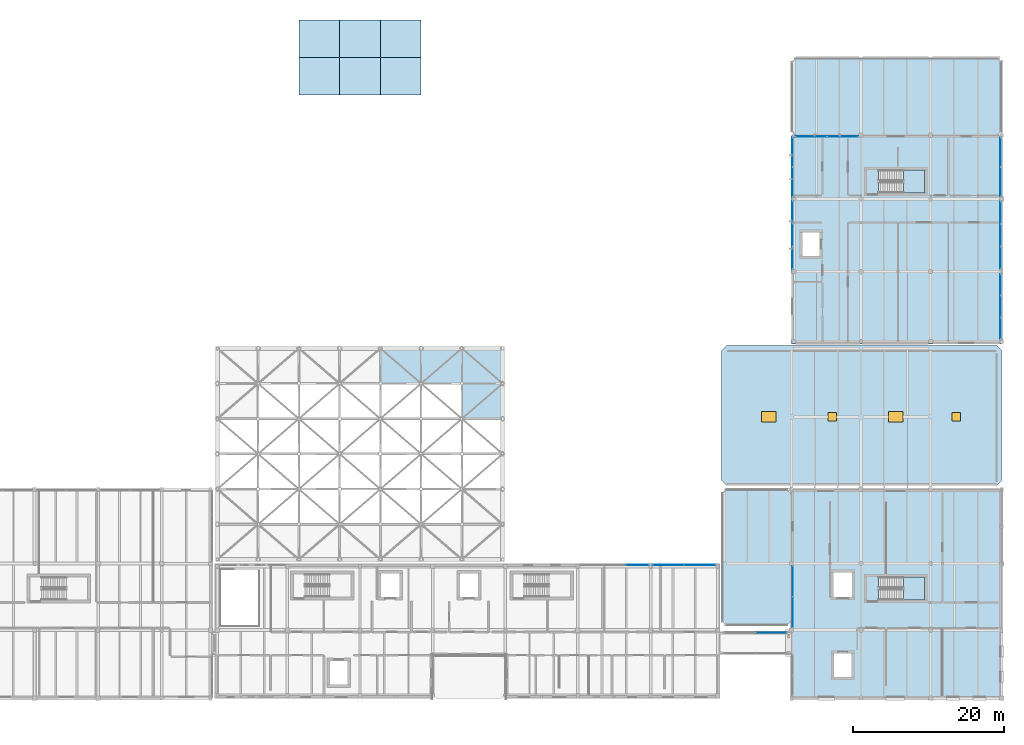
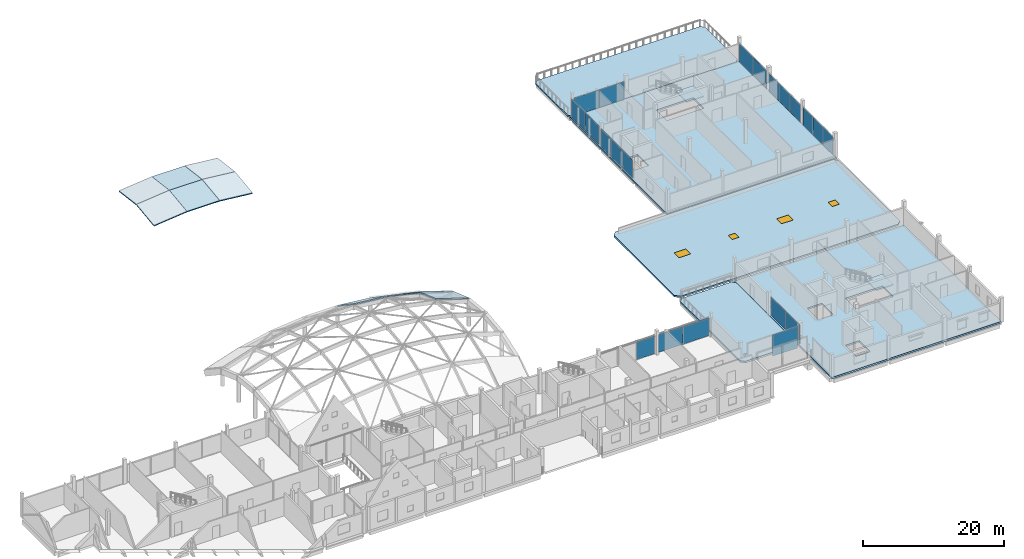
# One storey, part 19 of 41: 21 plates, 17 slabs, 4 windows, 4 openings, 14 elements without a shape of their own.
"""IFC4 building model written with IfcOpenShell, lengths in metres."""

import ifcopenshell
import ifcopenshell.guid

model = None  # the IFC model being written
_history = None  # IfcOwnerHistory: only IFC2X3 demands one
_inside = {}  # id of a spatial element -> (the spatial element, [elements in it])
_under = {}  # id of a project, library or spatial element -> (it, [spatial elements below it])
_declared = {}  # id of a project -> (the project, [libraries it declares])
_typed = {}  # id of a type object -> (the type object, [elements of that type])
_made_of = {}  # id of a material, layer set ... -> (it, [elements and type objects made of it])


def new_model(schema):
    """Start an empty IFC model of exactly this schema.

    Asked for "IFC4X3", IfcOpenShell would pick the latest addendum, in which some entities
    have other attributes; the version numbers below select the first issue.
    IFC2X3 requires an IfcOwnerHistory on every rooted entity: one is made here for all.
    """
    global model, _history
    if schema == "IFC4X3":
        model = ifcopenshell.file(schema_version=(4, 3, 0, 0))
    else:
        model = ifcopenshell.file(schema=schema)
    _inside.clear()
    _under.clear()
    _declared.clear()
    _typed.clear()
    _made_of.clear()
    _history = None
    if model.schema == "IFC2X3":
        org = make("IfcOrganization", Name="unknown")
        user = make(
            "IfcPersonAndOrganization",
            ThePerson=make("IfcPerson", FamilyName="unknown"),
            TheOrganization=org,
        )
        app = make(
            "IfcApplication",
            ApplicationDeveloper=org,
            Version="unknown",
            ApplicationFullName="unknown",
            ApplicationIdentifier="unknown",
        )
        _history = make(
            "IfcOwnerHistory",
            OwningUser=user,
            OwningApplication=app,
            ChangeAction="ADDED",
            CreationDate=0,
        )
    return model


def make(cls, **values):
    """One entity of the class cls with the attributes given. An attribute that is None is left unset."""
    return model.create_entity(
        cls, **{name: value for name, value in values.items() if value is not None}
    )


def rooted(cls, **values):
    """An entity with a GlobalId (a new one), such as an element, a storey or a relation."""
    return make(cls, GlobalId=ifcopenshell.guid.new(), OwnerHistory=_history, **values)


def si_unit(unit_type, name, prefix=None):
    """IfcSIUnit, for example si_unit("LENGTHUNIT", "METRE", prefix="MILLI")."""
    return make("IfcSIUnit", UnitType=unit_type, Prefix=prefix, Name=name)


def assignment(units):
    """IfcUnitAssignment: the units of a project."""
    return None if units is None else make("IfcUnitAssignment", Units=units)


def point(xyz):
    """IfcCartesianPoint."""
    return None if xyz is None else make("IfcCartesianPoint", Coordinates=xyz)


def direction(xyz):
    """IfcDirection."""
    return None if xyz is None else make("IfcDirection", DirectionRatios=xyz)


def frame(location, z_axis=None, x_axis=None):
    """IfcAxis2Placement3D, a coordinate frame: its origin and axes. An axis left out is left unset."""
    return make(
        "IfcAxis2Placement3D",
        Location=point(location),
        Axis=direction(z_axis),
        RefDirection=direction(x_axis),
    )


def frame_2d(location, x_axis=None):
    """IfcAxis2Placement2D, a coordinate frame in the plane: its origin and x axis."""
    return make(
        "IfcAxis2Placement2D", Location=point(location), RefDirection=direction(x_axis)
    )


def origin():
    """The frame at (0, 0, 0) with its axes left unset."""
    return frame((0.0, 0.0, 0.0))


def origin_2d():
    """The frame at (0, 0) in the plane with its x axis left unset."""
    return frame_2d((0.0, 0.0))


def place(relative_to, where):
    """IfcLocalPlacement: puts the frame where relative to a parent placement (None: the world)."""
    return make(
        "IfcLocalPlacement", PlacementRelTo=relative_to, RelativePlacement=where
    )


def context(
    kind, dimensions, precision=None, world=None, true_north=None, identifier=None
):
    """IfcGeometricRepresentationContext, for example the 3D "Model" context."""
    return make(
        "IfcGeometricRepresentationContext",
        ContextIdentifier=identifier,
        ContextType=kind,
        CoordinateSpaceDimension=dimensions,
        Precision=precision,
        WorldCoordinateSystem=world,
        TrueNorth=true_north,
    )


def subcontext(parent, identifier, kind, view, scale=None):
    """IfcGeometricRepresentationSubContext, for example "Body" below "Model"."""
    return make(
        "IfcGeometricRepresentationSubContext",
        ContextIdentifier=identifier,
        ContextType=kind,
        ParentContext=parent,
        TargetScale=scale,
        TargetView=view,
    )


def project(units=None, contexts=None):
    """IfcProject with its units and contexts."""
    return rooted(
        "IfcProject",
        Name="project",
        RepresentationContexts=contexts,
        UnitsInContext=assignment(units),
    )


def spatial(cls, under=None, at=None, **own):
    """A site, building, storey or space (cls), placed at a placement, below another one or the project."""
    s = rooted(cls, ObjectPlacement=at, **own)
    if under is not None:
        _under.setdefault(under.id(), (under, []))[1].append(s)
    return s


def polyline(points):
    """IfcPolyline through the points."""
    return make("IfcPolyline", Points=[point(p) for p in points])


def profile(cls, at=None, kind="AREA", **sizes):
    """A parametric profile (cls). Its sizes go by their IFC names, for example OverallWidth=200.0."""
    return make(cls, ProfileType=kind, Position=at, **sizes)


def rectangle(**sizes):
    """IfcRectangleProfileDef."""
    return profile("IfcRectangleProfileDef", **sizes)


def outline(outer, holes=None, kind="AREA"):
    """IfcArbitraryClosedProfileDef: a profile drawn as a closed curve; with holes, ...WithVoids."""
    if holes is None:
        return make("IfcArbitraryClosedProfileDef", ProfileType=kind, OuterCurve=outer)
    return make(
        "IfcArbitraryProfileDefWithVoids",
        ProfileType=kind,
        OuterCurve=outer,
        InnerCurves=holes,
    )


def extrude(swept, where, along, depth):
    """IfcExtrudedAreaSolid: the profile swept, set in the frame where, extruded along a direction by depth."""
    return make(
        "IfcExtrudedAreaSolid",
        SweptArea=swept,
        Position=where,
        ExtrudedDirection=direction(along),
        Depth=depth,
    )


def shape(context_of_items, identifier, shape_type, items):
    """IfcShapeRepresentation: the items that make up one representation, for example the "Body"."""
    return make(
        "IfcShapeRepresentation",
        ContextOfItems=context_of_items,
        RepresentationIdentifier=identifier,
        RepresentationType=shape_type,
        Items=items,
    )


def material(Name=None, Category=None):
    """IfcMaterial."""
    return make("IfcMaterial", Name=Name, Category=Category)


def layer(
    of_material, thickness, ventilated=None, Name=None, Category=None, Priority=None
):
    """IfcMaterialLayer: one layer of a wall or slab, of a material (None: an air gap)."""
    return make(
        "IfcMaterialLayer",
        Material=of_material,
        LayerThickness=thickness,
        IsVentilated=ventilated,
        Name=Name,
        Category=Category,
        Priority=Priority,
    )


def layer_set(layers, Name=None):
    """IfcMaterialLayerSet."""
    return make("IfcMaterialLayerSet", MaterialLayers=layers, LayerSetName=Name)


def made_of(thing, what):
    """Note that an element or type object is made of a material, layer set ...; save() writes the relation."""
    if what is not None:
        _made_of.setdefault(what.id(), (what, []))[1].append(thing)
    return thing


def type_object(cls, material=None, **own):
    """A type object (cls), such as IfcWallType, which elements share."""
    return made_of(rooted(cls, **own), material)


def element(
    cls,
    number,
    at=None,
    inside=None,
    cuts=None,
    type_object=None,
    material=None,
    context=None,
    identifier="Body",
    shape_type=None,
    held_by="IfcProductDefinitionShape",
    body=None,
    shapes=None,
    **own,
):
    """One element of the class cls, such as IfcWall. Its Tag is "e" and its number.

    at: its placement. inside: the storey or other place that contains it. cuts: it is an
    opening in that element (IfcRelVoidsElement). A single representation is given by context,
    identifier, shape_type and body (its items); several are given by shapes. held_by: the class
    of the entity that holds the representations. save() writes the other relations.
    """
    e = rooted(cls, Tag="e%d" % number, ObjectPlacement=at, **own)
    if body is not None:
        shapes = [shape(context, identifier, shape_type, body)]
    if shapes is not None:
        e.Representation = make(held_by, Representations=shapes)
    if inside is not None:
        _inside.setdefault(inside.id(), (inside, []))[1].append(e)
    if cuts is not None:
        rooted(
            "IfcRelVoidsElement", RelatingBuildingElement=cuts, RelatedOpeningElement=e
        )
    if type_object is not None:
        _typed.setdefault(type_object.id(), (type_object, []))[1].append(e)
    return made_of(e, material)


def fill(opening, filler):
    """IfcRelFillsElement: the door or window that sits in an opening."""
    return rooted(
        "IfcRelFillsElement",
        RelatingOpeningElement=opening,
        RelatedBuildingElement=filler,
    )


def aggregate(whole, parts):
    """IfcRelAggregates: a whole, such as a stair, and the parts it consists of."""
    return rooted("IfcRelAggregates", RelatingObject=whole, RelatedObjects=parts)


def save(model, path):
    """Write the relations noted so far, then the file.

    IfcRelAggregates (storeys below a building ...), IfcRelContainedInSpatialStructure (elements
    in a storey), IfcRelDefinesByType, IfcRelAssociatesMaterial and IfcRelDeclares: one each for
    every whole, place, type object, material and project.
    """
    for whole, parts in _under.values():
        aggregate(whole, parts)
    for where, things in _inside.values():
        rooted(
            "IfcRelContainedInSpatialStructure",
            RelatedElements=things,
            RelatingStructure=where,
        )
    for kind, things in _typed.values():
        rooted("IfcRelDefinesByType", RelatedObjects=things, RelatingType=kind)
    for what, things in _made_of.values():
        rooted("IfcRelAssociatesMaterial", RelatedObjects=things, RelatingMaterial=what)
    for by, libraries in _declared.values():
        rooted("IfcRelDeclares", RelatingContext=by, RelatedDefinitions=libraries)
    model.write(path)


model = new_model("IFC4")

# Units and contexts
model_context = context("Model", 3, precision=1e-05, world=origin(), true_north=direction((0.0, 1.0)))
body_context = subcontext(model_context, "Body", "Model", "MODEL_VIEW")
ifc_project = project(units=[si_unit("LENGTHUNIT", "METRE"), si_unit("AREAUNIT", "SQUARE_METRE"), si_unit("VOLUMEUNIT", "CUBIC_METRE"), si_unit("PLANEANGLEUNIT", "RADIAN"), si_unit("MASSUNIT", "GRAM", prefix="KILO")], contexts=[model_context])

# Site, building, storey
site_placement = place(None, origin())
site = spatial("IfcSite", under=ifc_project, at=site_placement, CompositionType="ELEMENT")
building_placement = place(site_placement, origin())
building = spatial("IfcBuilding", under=site, at=building_placement, Name="Birchvale Park Specialist Clinic", CompositionType="ELEMENT")
storey_placement = place(building_placement, frame((0.0, 0.0, 9.60009765625)))
storey = spatial("IfcBuildingStorey", under=building, at=storey_placement, Name="L02", CompositionType="ELEMENT", Elevation=9.60009765625)

# Curtain wall, plates
ifc_material_1 = material(Name="Thermally broken anodised aluminium", Category="aluminium")
ifc_layer_1 = layer(ifc_material_1, 0.179931640625)
ifc_layer_set_1 = layer_set([ifc_layer_1], Name="Thermally broken anodised aluminium")
curtain_wall_type_1 = type_object("IfcCurtainWallType", Name="CW-U1", PredefinedType="USERDEFINED", material=ifc_layer_set_1)
curtain_wall_1_placement = place(storey_placement, origin())
curtain_wall_1 = element("IfcCurtainWall", 1, at=curtain_wall_1_placement, inside=storey, type_object=curtain_wall_type_1, Name="V4 L02 glazed curtain wall 109", ObjectType="UNITISED", PredefinedType="USERDEFINED")
ifc_material_2 = material(Name="Solar-control low-E double glazing", Category="glass")
ifc_layer_2 = layer(ifc_material_2, 0.028076171875)
ifc_layer_set_2 = layer_set([ifc_layer_2], Name="Solar-control low-E double glazing")
plate_type_1 = type_object("IfcPlateType", Name="CWP1", PredefinedType="CURTAIN_PANEL", material=ifc_layer_set_2)
plate_1_placement = place(storey_placement, frame((115.936279296875, 34.409912109375, 0.06005859375), z_axis=(0.0, 0.0, 1.0), x_axis=(-1.0, 0.0, 0.0)))
plate_1 = element("IfcPlate", 2, at=plate_1_placement, type_object=plate_type_1, Name="CW panel 1.1", PredefinedType="CURTAIN_PANEL", context=body_context, shape_type="SweptSolid", body=[
    extrude(rectangle(XDim=4.137451171875, YDim=0.028076171875, at=origin_2d()), origin(), (0.0, 0.0, 1.0), 3.094970703125),
])
plate_2_placement = place(storey_placement, frame((111.73876953125, 34.409912109375, 0.06005859375), z_axis=(0.0, 0.0, 1.0), x_axis=(-1.0, 0.0, 0.0)))
plate_2 = element("IfcPlate", 3, at=plate_2_placement, type_object=plate_type_1, Name="CW panel 2.1", PredefinedType="CURTAIN_PANEL", context=body_context, shape_type="SweptSolid", body=[
    extrude(rectangle(XDim=4.137451171875, YDim=0.028076171875, at=origin_2d()), origin(), (0.0, 0.0, 1.0), 3.094970703125),
])
aggregate(curtain_wall_1, [plate_1, plate_2])

# Curtain wall, plate
curtain_wall_2_placement = place(storey_placement, origin())
curtain_wall_2 = element("IfcCurtainWall", 4, at=curtain_wall_2_placement, inside=storey, type_object=curtain_wall_type_1, Name="V4 L02 glazed curtain wall 110", ObjectType="UNITISED", PredefinedType="USERDEFINED")
plate_3_placement = place(storey_placement, frame((107.64990234375, 34.409912109375, 0.059814453125), z_axis=(0.0, 0.0, 1.0), x_axis=(-1.0, 0.0, 0.0)))
plate_3 = element("IfcPlate", 5, at=plate_3_placement, type_object=plate_type_1, Name="CW panel 1.1", PredefinedType="CURTAIN_PANEL", context=body_context, shape_type="SweptSolid", body=[
    extrude(rectangle(XDim=2.9599609375, YDim=0.028076171875, at=origin_2d()), origin(), (0.0, 0.0, 1.0), 3.06494140625),
])
aggregate(curtain_wall_2, [plate_3])

# Curtain wall, plates
ifc_layer_3 = layer(ifc_material_1, 0.195068359375)
ifc_layer_set_3 = layer_set([ifc_layer_3], Name="Thermally broken anodised aluminium")
curtain_wall_type_2 = type_object("IfcCurtainWallType", Name="CW-U2", PredefinedType="USERDEFINED", material=ifc_layer_set_3)
curtain_wall_3_placement = place(storey_placement, origin())
curtain_wall_3 = element("IfcCurtainWall", 6, at=curtain_wall_3_placement, inside=storey, type_object=curtain_wall_type_2, Name="V5 L02 glazed curtain wall 112", ObjectType="UNITISED", PredefinedType="USERDEFINED")
ifc_layer_4 = layer(ifc_material_2, 0.031982421875)
ifc_layer_set_4 = layer_set([ifc_layer_4], Name="Solar-control low-E double glazing")
plate_type_2 = type_object("IfcPlateType", Name="CWP2", PredefinedType="CURTAIN_PANEL", material=ifc_layer_set_4)
plate_4_placement = place(storey_placement, frame((128.175048828125, 32.271240234375, 0.06494140625), z_axis=(0.0, 0.0, 1.0), x_axis=(0.0, -1.0, 0.0)))
plate_4 = element("IfcPlate", 7, at=plate_4_placement, type_object=plate_type_2, Name="CW panel 1.1", PredefinedType="CURTAIN_PANEL", context=body_context, shape_type="SweptSolid", body=[
    extrude(rectangle(XDim=4.027587890625, YDim=0.031982421875, at=origin_2d()), origin(), (0.0, 0.0, 1.0), 3.235107421875),
])
plate_5_placement = place(storey_placement, frame((128.175048828125, 28.1787109375, 0.06494140625), z_axis=(0.0, 0.0, 1.0), x_axis=(0.0, -1.0, 0.0)))
plate_5 = element("IfcPlate", 8, at=plate_5_placement, type_object=plate_type_2, Name="CW panel 2.1", PredefinedType="CURTAIN_PANEL", context=body_context, shape_type="SweptSolid", body=[
    extrude(rectangle(XDim=4.027587890625, YDim=0.031982421875, at=origin_2d()), origin(), (0.0, 0.0, 1.0), 3.235107421875),
])
aggregate(curtain_wall_3, [plate_4, plate_5])

# Curtain wall, plate
ifc_layer_5 = layer(ifc_material_1, 0.14990234375)
ifc_layer_set_5 = layer_set([ifc_layer_5], Name="Thermally broken anodised aluminium")
curtain_wall_type_3 = type_object("IfcCurtainWallType", Name="CW-S2", PredefinedType="USERDEFINED", material=ifc_layer_set_5)
curtain_wall_4_placement = place(storey_placement, origin())
curtain_wall_4 = element("IfcCurtainWall", 9, at=curtain_wall_4_placement, inside=storey, type_object=curtain_wall_type_3, Name="V4 L02 glazed curtain wall 154", ObjectType="STICK", PredefinedType="USERDEFINED")
plate_6_placement = place(storey_placement, frame((125.360107421875, 25.47998046875, 0.06494140625), z_axis=(0.0, 0.0, 1.0), x_axis=(-1.0, 0.0, 0.0)))
plate_6 = element("IfcPlate", 10, at=plate_6_placement, type_object=plate_type_2, Name="CW panel 1.1", PredefinedType="CURTAIN_PANEL", context=body_context, shape_type="SweptSolid", body=[
    extrude(rectangle(XDim=4.06005859375, YDim=0.031982421875, at=origin_2d()), origin(), (0.0, 0.0, 1.0), 3.68994140625),
])
aggregate(curtain_wall_4, [plate_6])

# Curtain wall, plates
ifc_layer_6 = layer(ifc_material_1, 0.2099609375)
ifc_layer_set_6 = layer_set([ifc_layer_6], Name="Thermally broken anodised aluminium")
curtain_wall_type_4 = type_object("IfcCurtainWallType", Name="CW-U3", PredefinedType="USERDEFINED", material=ifc_layer_set_6)
curtain_wall_5_placement = place(storey_placement, origin())
curtain_wall_5 = element("IfcCurtainWall", 11, at=curtain_wall_5_placement, inside=storey, type_object=curtain_wall_type_4, Name="V6 L02 glazed curtain wall 114", ObjectType="UNITISED", PredefinedType="USERDEFINED")
ifc_layer_7 = layer(ifc_material_2, 0.035888671875)
ifc_layer_set_7 = layer_set([ifc_layer_7], Name="Solar-control low-E double glazing")
plate_type_3 = type_object("IfcPlateType", Name="CWP3", PredefinedType="CURTAIN_PANEL", material=ifc_layer_set_7)
plate_7_placement = place(storey_placement, frame((155.655029296875, 65.68408203125, 0.070068359375), z_axis=(0.0, 0.0, 1.0), x_axis=(0.0, 1.0, 0.0)))
plate_7 = element("IfcPlate", 12, at=plate_7_placement, type_object=plate_type_3, Name="CW panel 1.1", PredefinedType="CURTAIN_PANEL", context=body_context, shape_type="SweptSolid", body=[
    extrude(rectangle(XDim=2.79833984375, YDim=0.035888671875, at=origin_2d()), origin(), (0.0, 0.0, 1.0), 3.1298828125),
])
plate_8_placement = place(storey_placement, frame((155.655029296875, 68.570068359375, 0.070068359375), z_axis=(0.0, 0.0, 1.0), x_axis=(0.0, 1.0, 0.0)))
plate_8 = element("IfcPlate", 13, at=plate_8_placement, type_object=plate_type_3, Name="CW panel 2.1", PredefinedType="CURTAIN_PANEL", context=body_context, shape_type="SweptSolid", body=[
    extrude(rectangle(XDim=2.833251953125, YDim=0.035888671875, at=origin_2d()), origin(), (0.0, 0.0, 1.0), 3.1298828125),
])
plate_9_placement = place(storey_placement, frame((155.655029296875, 71.455810546875, 0.070068359375), z_axis=(0.0, 0.0, 1.0), x_axis=(0.0, 1.0, 0.0)))
plate_9 = element("IfcPlate", 14, at=plate_9_placement, type_object=plate_type_3, Name="CW panel 3.1", PredefinedType="CURTAIN_PANEL", context=body_context, shape_type="SweptSolid", body=[
    extrude(rectangle(XDim=2.79833984375, YDim=0.035888671875, at=origin_2d()), origin(), (0.0, 0.0, 1.0), 3.1298828125),
])
aggregate(curtain_wall_5, [plate_7, plate_8, plate_9])

curtain_wall_6_placement = place(storey_placement, origin())
curtain_wall_6 = element("IfcCurtainWall", 15, at=curtain_wall_6_placement, inside=storey, type_object=curtain_wall_type_4, Name="V6 L02 glazed curtain wall 115", ObjectType="UNITISED", PredefinedType="USERDEFINED")
plate_10_placement = place(storey_placement, frame((155.655029296875, 74.99658203125, 0.06982421875), z_axis=(0.0, 0.0, 1.0), x_axis=(0.0, 1.0, 0.0)))
plate_10 = element("IfcPlate", 16, at=plate_10_placement, type_object=plate_type_3, Name="CW panel 1.1", PredefinedType="CURTAIN_PANEL", context=body_context, shape_type="SweptSolid", body=[
    extrude(rectangle(XDim=2.9033203125, YDim=0.035888671875, at=origin_2d()), origin(), (0.0, 0.0, 1.0), 3.094970703125),
])
plate_11_placement = place(storey_placement, frame((155.655029296875, 77.987548828125, 0.06982421875), z_axis=(0.0, 0.0, 1.0), x_axis=(0.0, 1.0, 0.0)))
plate_11 = element("IfcPlate", 17, at=plate_11_placement, type_object=plate_type_3, Name="CW panel 2.1", PredefinedType="CURTAIN_PANEL", context=body_context, shape_type="SweptSolid", body=[
    extrude(rectangle(XDim=2.938232421875, YDim=0.035888671875, at=origin_2d()), origin(), (0.0, 0.0, 1.0), 3.094970703125),
])
plate_12_placement = place(storey_placement, frame((155.655029296875, 80.978271484375, 0.06982421875), z_axis=(0.0, 0.0, 1.0), x_axis=(0.0, 1.0, 0.0)))
plate_12 = element("IfcPlate", 18, at=plate_12_placement, type_object=plate_type_3, Name="CW panel 3.1", PredefinedType="CURTAIN_PANEL", context=body_context, shape_type="SweptSolid", body=[
    extrude(rectangle(XDim=2.9033203125, YDim=0.035888671875, at=origin_2d()), origin(), (0.0, 0.0, 1.0), 3.094970703125),
])
aggregate(curtain_wall_6, [plate_10, plate_11, plate_12])

curtain_wall_7_placement = place(storey_placement, origin())
curtain_wall_7 = element("IfcCurtainWall", 19, at=curtain_wall_7_placement, inside=storey, type_object=curtain_wall_type_4, Name="V6 L02 glazed curtain wall 116", ObjectType="UNITISED", PredefinedType="USERDEFINED")
plate_13_placement = place(storey_placement, frame((155.655029296875, 85.080078125, 0.06982421875), z_axis=(0.0, 0.0, 1.0), x_axis=(0.0, 1.0, 0.0)))
plate_13 = element("IfcPlate", 20, at=plate_13_placement, type_object=plate_type_3, Name="CW panel 1.1", PredefinedType="CURTAIN_PANEL", context=body_context, shape_type="SweptSolid", body=[
    extrude(rectangle(XDim=3.820068359375, YDim=0.035888671875, at=origin_2d()), origin(), (0.0, 0.0, 1.0), 3.195068359375),
])
plate_14_placement = place(storey_placement, frame((155.655029296875, 88.969970703125, 0.06982421875), z_axis=(0.0, 0.0, 1.0), x_axis=(0.0, 1.0, 0.0)))
plate_14 = element("IfcPlate", 21, at=plate_14_placement, type_object=plate_type_3, Name="CW panel 2.1", PredefinedType="CURTAIN_PANEL", context=body_context, shape_type="SweptSolid", body=[
    extrude(rectangle(XDim=3.820068359375, YDim=0.035888671875, at=origin_2d()), origin(), (0.0, 0.0, 1.0), 3.195068359375),
])
aggregate(curtain_wall_7, [plate_13, plate_14])

curtain_wall_8_placement = place(storey_placement, origin())
curtain_wall_8 = element("IfcCurtainWall", 22, at=curtain_wall_8_placement, inside=storey, type_object=curtain_wall_type_4, Name="V6 L02 glazed curtain wall 117", ObjectType="UNITISED", PredefinedType="USERDEFINED")
plate_15_placement = place(storey_placement, frame((134.791259765625, 91.054931640625, 0.06982421875), z_axis=(0.0, 0.0, 1.0), x_axis=(-1.0, 0.0, 0.0)))
plate_15 = element("IfcPlate", 23, at=plate_15_placement, type_object=plate_type_3, Name="CW panel 1.1", PredefinedType="CURTAIN_PANEL", context=body_context, shape_type="SweptSolid", body=[
    extrude(rectangle(XDim=4.077392578125, YDim=0.035888671875, at=origin_2d()), origin(), (0.0, 0.0, 1.0), 3.074951171875),
])
plate_16_placement = place(storey_placement, frame((130.643798828125, 91.054931640625, 0.06982421875), z_axis=(0.0, 0.0, 1.0), x_axis=(-1.0, 0.0, 0.0)))
plate_16 = element("IfcPlate", 24, at=plate_16_placement, type_object=plate_type_3, Name="CW panel 2.1", PredefinedType="CURTAIN_PANEL", context=body_context, shape_type="SweptSolid", body=[
    extrude(rectangle(XDim=4.077392578125, YDim=0.035888671875, at=origin_2d()), origin(), (0.0, 0.0, 1.0), 3.074951171875),
])
aggregate(curtain_wall_8, [plate_15, plate_16])

curtain_wall_9_placement = place(storey_placement, origin())
curtain_wall_9 = element("IfcCurtainWall", 25, at=curtain_wall_9_placement, inside=storey, type_object=curtain_wall_type_4, Name="V6 L02 glazed curtain wall 118", ObjectType="UNITISED", PredefinedType="USERDEFINED")
plate_17_placement = place(storey_placement, frame((128.14501953125, 88.947509765625, 0.06982421875), z_axis=(0.0, 0.0, 1.0), x_axis=(0.0, -1.0, 0.0)))
plate_17 = element("IfcPlate", 26, at=plate_17_placement, type_object=plate_type_3, Name="CW panel 1.1", PredefinedType="CURTAIN_PANEL", context=body_context, shape_type="SweptSolid", body=[
    extrude(rectangle(XDim=3.844970703125, YDim=0.035888671875, at=origin_2d()), origin(), (0.0, 0.0, 1.0), 3.22509765625),
])
plate_18_placement = place(storey_placement, frame((128.14501953125, 85.032470703125, 0.06982421875), z_axis=(0.0, 0.0, 1.0), x_axis=(0.0, -1.0, 0.0)))
plate_18 = element("IfcPlate", 27, at=plate_18_placement, type_object=plate_type_3, Name="CW panel 2.1", PredefinedType="CURTAIN_PANEL", context=body_context, shape_type="SweptSolid", body=[
    extrude(rectangle(XDim=3.844970703125, YDim=0.035888671875, at=origin_2d()), origin(), (0.0, 0.0, 1.0), 3.22509765625),
])
aggregate(curtain_wall_9, [plate_17, plate_18])

curtain_wall_10_placement = place(storey_placement, origin())
curtain_wall_10 = element("IfcCurtainWall", 28, at=curtain_wall_10_placement, inside=storey, type_object=curtain_wall_type_4, Name="V6 L02 glazed curtain wall 119", ObjectType="UNITISED", PredefinedType="USERDEFINED")
plate_19_placement = place(storey_placement, frame((128.14501953125, 81.03076171875, 0.06982421875), z_axis=(0.0, 0.0, 1.0), x_axis=(0.0, -1.0, 0.0)))
plate_19 = element("IfcPlate", 29, at=plate_19_placement, type_object=plate_type_3, Name="CW panel 1.1", PredefinedType="CURTAIN_PANEL", context=body_context, shape_type="SweptSolid", body=[
    extrude(rectangle(XDim=2.918212890625, YDim=0.035888671875, at=origin_2d()), origin(), (0.0, 0.0, 1.0), 3.125),
])
plate_20_placement = place(storey_placement, frame((128.14501953125, 78.02490234375, 0.06982421875), z_axis=(0.0, 0.0, 1.0), x_axis=(0.0, -1.0, 0.0)))
plate_20 = element("IfcPlate", 30, at=plate_20_placement, type_object=plate_type_3, Name="CW panel 2.1", PredefinedType="CURTAIN_PANEL", context=body_context, shape_type="SweptSolid", body=[
    extrude(rectangle(XDim=2.953369140625, YDim=0.035888671875, at=origin_2d()), origin(), (0.0, 0.0, 1.0), 3.125),
])
plate_21_placement = place(storey_placement, frame((128.14501953125, 75.019287109375, 0.06982421875), z_axis=(0.0, 0.0, 1.0), x_axis=(0.0, -1.0, 0.0)))
plate_21 = element("IfcPlate", 31, at=plate_21_placement, type_object=plate_type_3, Name="CW panel 3.1", PredefinedType="CURTAIN_PANEL", context=body_context, shape_type="SweptSolid", body=[
    extrude(rectangle(XDim=2.918212890625, YDim=0.035888671875, at=origin_2d()), origin(), (0.0, 0.0, 1.0), 3.125),
])
aggregate(curtain_wall_10, [plate_19, plate_20, plate_21])

# Slabs
ifc_material_3 = material(Name="Concrete C35/45", Category="concrete")
ifc_layer_8 = layer(ifc_material_3, 0.31005859375)
ifc_layer_set_8 = layer_set([ifc_layer_8], Name="Concrete C35/45")
slab_type_1 = type_object("IfcSlabType", Name="SLB-ES1", PredefinedType="FLOOR", material=ifc_layer_set_8)
slab_1_placement = place(storey_placement, frame((0.0, 0.0, -0.31005859375)))
element("IfcSlab", 32, at=slab_1_placement, inside=storey, type_object=slab_type_1, Name="V5 L02 outdoor terrace slab 1", PredefinedType="FLOOR", context=body_context, shape_type="SweptSolid", body=[
    extrude(outline(polyline([(119.35009765625, 26.39990234375), (127.449951171875, 26.39990234375), (128.0, 26.949951171875), (128.0, 43.85009765625), (127.449951171875, 44.39990234375), (119.35009765625, 44.39990234375), (118.800048828125, 43.85009765625), (118.800048828125, 26.949951171875), (119.35009765625, 26.39990234375)])), origin(), (0.0, 0.0, 1.0), 0.31005859375),
])
slab_2_placement = place(storey_placement, frame((0.0, 0.0, -0.31005859375)))
element("IfcSlab", 33, at=slab_2_placement, inside=storey, type_object=slab_type_1, Name="V6 L02 outdoor terrace slab 1", PredefinedType="FLOOR", context=body_context, shape_type="SweptSolid", body=[
    extrude(outline(polyline([(128.550048828125, 91.199951171875), (155.25, 91.199951171875), (155.800048828125, 91.75), (155.800048828125, 100.85009765625), (155.25, 101.39990234375), (128.550048828125, 101.39990234375), (128.0, 100.85009765625), (128.0, 91.75), (128.550048828125, 91.199951171875)])), origin(), (0.0, 0.0, 1.0), 0.31005859375),
])
ifc_layer_9 = layer(ifc_material_3, 0.300048828125)
ifc_layer_set_9 = layer_set([ifc_layer_9], Name="Concrete C35/45")
slab_type_2 = type_object("IfcSlabType", Name="SLB-FS3", PredefinedType="FLOOR", material=ifc_layer_set_9)
slab_3_placement = place(storey_placement, frame((0.0, 0.0, -0.300048828125)))
element("IfcSlab", 34, at=slab_3_placement, inside=storey, type_object=slab_type_2, Name="V5 L02 structural slab 1", PredefinedType="FLOOR", context=body_context, shape_type="SweptSolid", body=[
    extrude(outline(polyline([(128.0, 16.800048828125), (155.800048828125, 16.800048828125), (155.800048828125, 44.39990234375), (128.0, 44.39990234375), (128.0, 16.800048828125)]), holes=[polyline([(139.5048828125, 29.800048828125), (145.60009765625, 29.800048828125), (145.60009765625, 32.800048828125), (139.5048828125, 32.800048828125), (139.5048828125, 29.800048828125)]), polyline([(133.64990234375, 19.64990234375), (135.949951171875, 19.64990234375), (135.949951171875, 22.75), (133.64990234375, 22.75), (133.64990234375, 19.64990234375)]), polyline([(133.60009765625, 30.199951171875), (136.0, 30.199951171875), (136.0, 33.39990234375), (133.60009765625, 33.39990234375), (133.60009765625, 30.199951171875)])]), origin(), (0.0, 0.0, 1.0), 0.300048828125),
])
slab_4_placement = place(storey_placement, frame((0.0, 0.0, -0.300048828125)))
element("IfcSlab", 35, at=slab_4_placement, inside=storey, type_object=slab_type_2, Name="V6 L02 structural slab 1", PredefinedType="FLOOR", context=body_context, shape_type="SweptSolid", body=[
    extrude(outline(polyline([(128.0, 63.60009765625), (155.800048828125, 63.60009765625), (155.800048828125, 91.199951171875), (128.0, 91.199951171875), (128.0, 63.60009765625)]), holes=[polyline([(139.5048828125, 83.60009765625), (145.60009765625, 83.60009765625), (145.60009765625, 86.60009765625), (139.5048828125, 86.60009765625), (139.5048828125, 83.60009765625)]), polyline([(129.449951171875, 75.25), (131.75, 75.25), (131.75, 78.35009765625), (129.449951171875, 78.35009765625), (129.449951171875, 75.25)])]), origin(), (0.0, 0.0, 1.0), 0.300048828125),
])

# Stair, slab
stair_type = type_object("IfcStairType", Name="ST-H42", PredefinedType="HALF_TURN_STAIR", material=ifc_material_3)
stair_1_placement = place(storey_placement, origin())
stair_1 = element("IfcStair", 36, at=stair_1_placement, inside=storey, type_object=stair_type, Name="L02 Protected exit stair ST3", PredefinedType="HALF_TURN_STAIR")
ifc_layer_10 = layer(ifc_material_3, 0.199951171875)
ifc_layer_set_10 = layer_set([ifc_layer_10], Name="Concrete C35/45")
slab_type_3 = type_object("IfcSlabType", Name="SLB-LND1", PredefinedType="LANDING", material=ifc_layer_set_10)
slab_5_placement = place(storey_placement, frame((0.0, 0.0, 1.89990234375)))
slab_5 = element("IfcSlab", 37, at=slab_5_placement, type_object=slab_type_3, Name="ST3 landing 1", PredefinedType="LANDING", context=body_context, shape_type="SweptSolid", body=[
    extrude(outline(polyline([(142.800048828125, 83.60009765625), (145.60009765625, 83.60009765625), (145.60009765625, 86.60009765625), (142.800048828125, 86.60009765625), (142.800048828125, 83.60009765625)])), origin(), (0.0, 0.0, 1.0), 0.199951171875),
])
aggregate(stair_1, [slab_5])

stair_2_placement = place(storey_placement, origin())
stair_2 = element("IfcStair", 38, at=stair_2_placement, inside=storey, type_object=stair_type, Name="L02 Protected exit stair ST6", PredefinedType="HALF_TURN_STAIR")
slab_6_placement = place(storey_placement, frame((0.0, 0.0, 1.89990234375)))
slab_6 = element("IfcSlab", 39, at=slab_6_placement, type_object=slab_type_3, Name="ST6 landing 1", PredefinedType="LANDING", context=body_context, shape_type="SweptSolid", body=[
    extrude(outline(polyline([(142.800048828125, 29.800048828125), (145.60009765625, 29.800048828125), (145.60009765625, 32.800048828125), (142.800048828125, 32.800048828125), (142.800048828125, 29.800048828125)])), origin(), (0.0, 0.0, 1.0), 0.199951171875),
])
aggregate(stair_2, [slab_6])

# Roof, slabs
ifc_material_4 = material(Name="Glulam GL28h", Category="wood")
roof_type = type_object("IfcRoofType", Name="ROOF-SHL1", PredefinedType="BARREL_ROOF", material=ifc_material_4)
roof_1_placement = place(storey_placement, origin())
roof_1 = element("IfcRoof", 40, at=roof_1_placement, inside=storey, type_object=roof_type, Name="V1 translational glulam-and-steel gridshell roof (L02)", PredefinedType="BARREL_ROOF")
ifc_layer_11 = layer(ifc_material_3, 0.179931640625)
ifc_layer_set_11 = layer_set([ifc_layer_11], Name="Concrete C35/45")
slab_type_4 = type_object("IfcSlabType", Name="SLB-RS3", PredefinedType="ROOF", material=ifc_layer_set_11)
slab_7_placement = place(storey_placement, frame((73.69287109375, 58.39990234375, 6.572265625), z_axis=(0.086419511861, 0.553257211935, 0.828515615672), x_axis=(0.994604073977, 0.0, -0.103743607172)))
slab_7 = element("IfcSlab", 41, at=slab_7_placement, type_object=slab_type_4, Name="V1 gridshell planar roof cassette 30", PredefinedType="ROOF", context=body_context, shape_type="SweptSolid", body=[
    extrude(outline(polyline([(0.0, 0.0), (5.41496091602236, 1.1102230246251565e-16), (5.737108118079014, 5.582338522610428), (0.32214720205665465, 5.582338522610427), (0.0, 0.0)])), origin(), (0.0, 0.0, -1.0), 0.179931640625),
])
slab_8_placement = place(storey_placement, frame((79.07861328125, 58.39990234375, 6.010498046875), z_axis=(0.173637166078, 0.546899105252, 0.818994202196), x_axis=(0.978255668957, 0.0, -0.207402618482)))
slab_8 = element("IfcSlab", 42, at=slab_8_placement, type_object=slab_type_4, Name="V1 gridshell planar roof cassette 36", PredefinedType="ROOF", context=body_context, shape_type="SweptSolid", body=[
    extrude(outline(polyline([(0.0, 0.0), (5.505454615194127, 0.0), (6.149486330153207, 5.554413141902586), (0.6440317149590792, 5.554413141902586), (0.0, 0.0)])), origin(), (0.0, 0.0, -1.0), 0.179931640625),
])
slab_9_placement = place(storey_placement, frame((84.46435546875, 53.75, 6.50830078125), z_axis=(0.295043747658, 0.317746822713, 0.901102737552), x_axis=(0.950354284012, 0.0, -0.311169945304)))
slab_9 = element("IfcSlab", 43, at=slab_9_placement, type_object=slab_type_4, Name="V1 gridshell planar roof cassette 41", PredefinedType="ROOF", context=body_context, shape_type="SweptSolid", body=[
    extrude(outline(polyline([(0.0, 0.0), (5.66708887212652, 1.1102230246251565e-16), (6.177298186741902, 4.904051922674518), (0.5102093146153828, 4.904051922674518), (0.0, 0.0)])), origin(), (0.0, 0.0, -1.0), 0.179931640625),
])
slab_10_placement = place(storey_placement, frame((84.46435546875, 58.39990234375, 4.86865234375), z_axis=(0.262729709177, 0.535825606069, 0.802411378158), x_axis=(0.950354284012, 0.0, -0.311169945304)))
slab_10 = element("IfcSlab", 44, at=slab_10_placement, type_object=slab_type_4, Name="V1 gridshell planar roof cassette 42", PredefinedType="ROOF", context=body_context, shape_type="SweptSolid", body=[
    extrude(outline(polyline([(0.0, 0.0), (5.66708887212652, 0.0), (6.633341443983735, 5.507507436962079), (0.9662525718572146, 5.507507436962079), (0.0, 0.0)])), origin(), (0.0, 0.0, -1.0), 0.179931640625),
])
aggregate(roof_1, [slab_7, slab_8, slab_9, slab_10])

roof_2_placement = place(storey_placement, origin())
roof_2 = element("IfcRoof", 45, at=roof_2_placement, inside=storey, type_object=roof_type, Name="V3 translational glulam-and-steel gridshell roof (L02)", PredefinedType="BARREL_ROOF")
slab_11_placement = place(storey_placement, frame((62.92138671875, 96.512451171875, 0.77685546875), z_axis=(-0.102873957372, -0.127562614346, 0.986480982237), x_axis=(0.99460643766, -2.836801e-06, 0.10372094368)))
slab_11 = element("IfcSlab", 46, at=slab_11_placement, type_object=slab_type_4, Name="V3 gridshell planar roof cassette 10", PredefinedType="ROOF", context=body_context, shape_type="SweptSolid", body=[
    extrude(outline(polyline([(0.0, 0.0), (5.414935592098776, 0.0), (5.481494356083012, 5.0035383432062845), (0.06653344148822016, 5.003507367891522), (0.0, 0.0)])), origin(), (0.0, 0.0, -1.0), 0.179931640625),
])
slab_12_placement = place(storey_placement, frame((62.92138671875, 101.47509765625, 1.41845703125), z_axis=(-0.102873875014, 0.127568788051, 0.98648019248), x_axis=(0.994606361971, -2.836923e-06, 0.103721669479)))
slab_12 = element("IfcSlab", 47, at=slab_12_placement, type_object=slab_type_4, Name="V3 gridshell planar roof cassette 11", PredefinedType="ROOF", context=body_context, shape_type="SweptSolid", body=[
    extrude(outline(polyline([(0.0, 0.0), (5.414960914683388, -2.7755575615628914e-17), (5.348373528854659, 5.00329581710127), (-0.06656206315551558, 5.003264840432242), (0.0, 0.0)])), origin(), (0.0, 0.0, -1.0), 0.179931640625),
])
slab_13_placement = place(storey_placement, frame((68.30712890625, 96.512451171875, 1.33837890625), z_axis=(0.0, -0.128267013949, 0.991739670041), x_axis=(1.0, 0.0, 0.0)))
slab_13 = element("IfcSlab", 48, at=slab_13_placement, type_object=slab_type_4, Name="V3 gridshell planar roof cassette 14", PredefinedType="ROOF", context=body_context, shape_type="SweptSolid", body=[
    extrude(outline(polyline([(0.0, 0.0), (5.3857421875, 0.0), (5.3857421875, 5.00398101869897), (0.0, 5.00398101869897), (0.0, 0.0)])), origin(), (0.0, 0.0, -1.0), 0.179931640625),
])
slab_14_placement = place(storey_placement, frame((68.30712890625, 101.47509765625, 1.980224609375), z_axis=(0.0, 0.128273220608, 0.991738867281), x_axis=(1.0, 0.0, 0.0)))
slab_14 = element("IfcSlab", 49, at=slab_14_placement, type_object=slab_type_4, Name="V3 gridshell planar roof cassette 15", PredefinedType="ROOF", context=body_context, shape_type="SweptSolid", body=[
    extrude(outline(polyline([(0.0, 0.0), (5.3857421875, 0.0), (5.3857421875, 5.00373889485408), (0.0, 5.00373889485408), (0.0, 0.0)])), origin(), (0.0, 0.0, -1.0), 0.179931640625),
])
slab_15_placement = place(storey_placement, frame((73.69287109375, 96.512451171875, 1.33837890625), z_axis=(0.102873957372, -0.127562614346, 0.986480982237), x_axis=(0.99460643766, 2.836801e-06, -0.10372094368)))
slab_15 = element("IfcSlab", 50, at=slab_15_placement, type_object=slab_type_4, Name="V3 gridshell planar roof cassette 18", PredefinedType="ROOF", context=body_context, shape_type="SweptSolid", body=[
    extrude(outline(polyline([(0.0, 0.0), (5.414935592098776, 0.0), (5.348402150610556, 5.003507367891522), (-0.06655876398423588, 5.0035383432062845), (0.0, 0.0)])), origin(), (0.0, 0.0, -1.0), 0.179931640625),
])
slab_16_placement = place(storey_placement, frame((73.69287109375, 101.47509765625, 1.980224609375), z_axis=(0.102873875014, 0.127568788051, 0.98648019248), x_axis=(0.994606361971, 2.836923e-06, -0.103721669479)))
slab_16 = element("IfcSlab", 51, at=slab_16_placement, type_object=slab_type_4, Name="V3 gridshell planar roof cassette 19", PredefinedType="ROOF", context=body_context, shape_type="SweptSolid", body=[
    extrude(outline(polyline([(0.0, 0.0), (5.414960914683388, 2.7755575615628914e-17), (5.481522977838904, 5.003264840432242), (0.06658738582872821, 5.00329581710127), (0.0, 0.0)])), origin(), (0.0, 0.0, -1.0), 0.179931640625),
])
aggregate(roof_2, [slab_11, slab_12, slab_13, slab_14, slab_15, slab_16])

# Slab, openings, windows
ifc_layer_12 = layer(ifc_material_3, 0.27490234375)
ifc_layer_set_12 = layer_set([ifc_layer_12], Name="Concrete C35/45")
slab_type_5 = type_object("IfcSlabType", Name="SLB-RS4", PredefinedType="ROOF", material=ifc_layer_set_12)
slab_17_placement = place(storey_placement, frame((0.0, 0.0, -0.275146484375)))
slab_17 = element("IfcSlab", 52, at=slab_17_placement, inside=storey, type_object=slab_type_5, Name="V5 L02 flat roof slab SLB-V5-L02-NRF", PredefinedType="ROOF", context=body_context, shape_type="SweptSolid", body=[
    extrude(outline(polyline([(119.449951171875, 44.949951171875), (155.14990234375, 44.949951171875), (155.800048828125, 45.60009765625), (155.800048828125, 62.75), (155.14990234375, 63.39990234375), (119.449951171875, 63.39990234375), (118.800048828125, 62.75), (118.800048828125, 45.60009765625), (119.449951171875, 44.949951171875)])), origin(), (0.0, 0.0, 1.0), 0.275146484375),
])
opening_1_placement = place(slab_17_placement, frame((125.0, 54.0, 0.0)))
opening_1 = element("IfcOpeningElement", 53, at=opening_1_placement, cuts=slab_17, Name="Opening SK-05", PredefinedType="OPENING", context=body_context, shape_type="SweptSolid", body=[
    extrude(rectangle(XDim=1.89990234375, YDim=1.39990234375, at=origin_2d()), frame((0.0, 0.0, -0.010009765625)), (0.0, 0.0, 1.0), 0.295166015625),
])
opening_2_placement = place(slab_17_placement, frame((141.800048828125, 54.0, 0.0)))
opening_2 = element("IfcOpeningElement", 54, at=opening_2_placement, cuts=slab_17, Name="Opening SK-05", PredefinedType="OPENING", context=body_context, shape_type="SweptSolid", body=[
    extrude(rectangle(XDim=1.89990234375, YDim=1.39990234375, at=origin_2d()), frame((0.0, 0.0, -0.010009765625)), (0.0, 0.0, 1.0), 0.295166015625),
])
opening_3_placement = place(slab_17_placement, frame((133.39990234375, 54.0, 0.0)))
opening_3 = element("IfcOpeningElement", 55, at=opening_3_placement, cuts=slab_17, Name="Opening SK-01", PredefinedType="OPENING", context=body_context, shape_type="SweptSolid", body=[
    extrude(rectangle(XDim=1.14990234375, YDim=1.14990234375, at=origin_2d()), frame((0.0, 0.0, -0.010009765625)), (0.0, 0.0, 1.0), 0.295166015625),
])
opening_4_placement = place(slab_17_placement, frame((149.800048828125, 54.0, 0.0)))
opening_4 = element("IfcOpeningElement", 56, at=opening_4_placement, cuts=slab_17, Name="Opening SK-01", PredefinedType="OPENING", context=body_context, shape_type="SweptSolid", body=[
    extrude(rectangle(XDim=1.14990234375, YDim=1.14990234375, at=origin_2d()), frame((0.0, 0.0, -0.010009765625)), (0.0, 0.0, 1.0), 0.295166015625),
])
window_type_1 = type_object("IfcWindowType", Name="WIN-SK-01", PartitioningType="SINGLE_PANEL", PredefinedType="SKYLIGHT", material=ifc_material_2)
window_1_placement = place(opening_3_placement, frame((0.0, 0.0, 0.22509765625)))
window_1 = element("IfcWindow", 57, at=window_1_placement, inside=storey, type_object=window_type_1, Name="L02 roof daylight skylight 37", OverallHeight=1.14990234375, OverallWidth=1.14990234375, PartitioningType="SINGLE_PANEL", PredefinedType="SKYLIGHT", context=body_context, shape_type="SweptSolid", body=[
    extrude(rectangle(XDim=1.14990234375, YDim=1.14990234375, at=origin_2d()), origin(), (0.0, 0.0, 1.0), 0.050048828125),
])
fill(opening_3, window_1)
window_2_placement = place(opening_4_placement, frame((0.0, 0.0, 0.22509765625)))
window_2 = element("IfcWindow", 58, at=window_2_placement, inside=storey, type_object=window_type_1, Name="L02 roof daylight skylight 38", OverallHeight=1.14990234375, OverallWidth=1.14990234375, PartitioningType="SINGLE_PANEL", PredefinedType="SKYLIGHT", context=body_context, shape_type="SweptSolid", body=[
    extrude(rectangle(XDim=1.14990234375, YDim=1.14990234375, at=origin_2d()), origin(), (0.0, 0.0, 1.0), 0.050048828125),
])
fill(opening_4, window_2)
window_type_2 = type_object("IfcWindowType", Name="WIN-SK-05", PartitioningType="SINGLE_PANEL", PredefinedType="SKYLIGHT", material=ifc_material_2)
window_3_placement = place(opening_1_placement, frame((0.0, 0.0, 0.22509765625)))
window_3 = element("IfcWindow", 59, at=window_3_placement, inside=storey, type_object=window_type_2, Name="L02 roof daylight skylight 18", OverallHeight=1.39990234375, OverallWidth=1.89990234375, PartitioningType="SINGLE_PANEL", PredefinedType="SKYLIGHT", context=body_context, shape_type="SweptSolid", body=[
    extrude(rectangle(XDim=1.89990234375, YDim=1.39990234375, at=origin_2d()), origin(), (0.0, 0.0, 1.0), 0.050048828125),
])
fill(opening_1, window_3)
window_4_placement = place(opening_2_placement, frame((0.0, 0.0, 0.22509765625)))
window_4 = element("IfcWindow", 60, at=window_4_placement, inside=storey, type_object=window_type_2, Name="L02 roof daylight skylight 19", OverallHeight=1.39990234375, OverallWidth=1.89990234375, PartitioningType="SINGLE_PANEL", PredefinedType="SKYLIGHT", context=body_context, shape_type="SweptSolid", body=[
    extrude(rectangle(XDim=1.89990234375, YDim=1.39990234375, at=origin_2d()), origin(), (0.0, 0.0, 1.0), 0.050048828125),
])
fill(opening_2, window_4)

save(model, "model.ifc")
